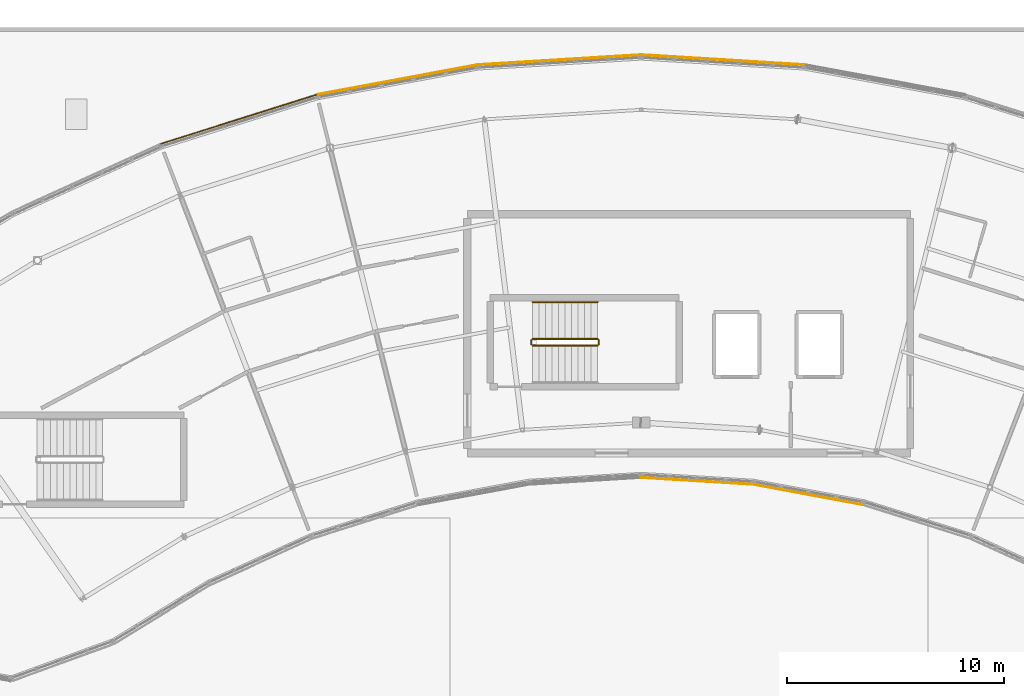
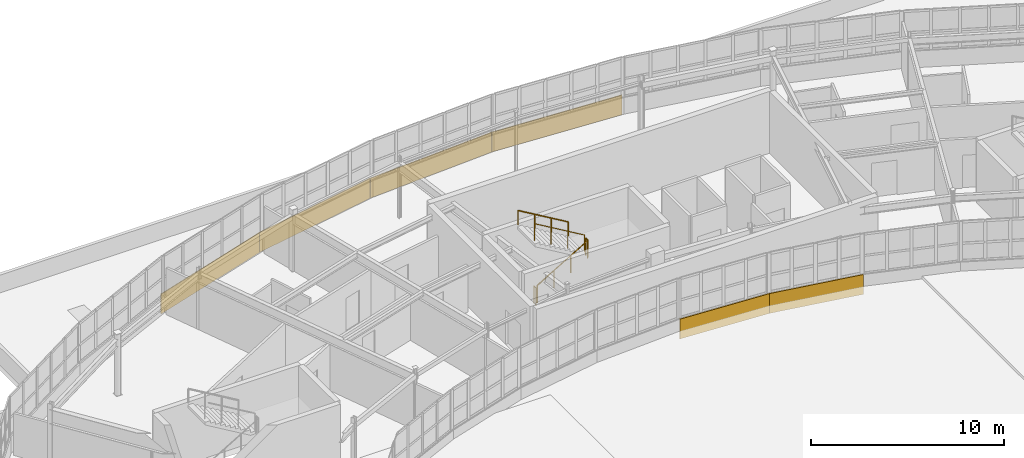
# One storey, part 121 of 128: 6 coverings, 5 railings.
"""IFC4 building model written with IfcOpenShell, lengths in metres."""

from ifc_helpers import new_model, si_unit, direction, frame, origin, origin_2d, place, context, subcontext, project, spatial, rectangle, circle, extrude, material, layer, layer_set, type_object, element, save


model = new_model("IFC4")

# Units and contexts
model_context = context("Model", 3, precision=1e-05, world=origin(), true_north=direction((0.0, 1.0)))
body_context = subcontext(model_context, "Body", "Model", "MODEL_VIEW")
ifc_project = project(units=[si_unit("LENGTHUNIT", "METRE"), si_unit("AREAUNIT", "SQUARE_METRE"), si_unit("VOLUMEUNIT", "CUBIC_METRE"), si_unit("PLANEANGLEUNIT", "RADIAN"), si_unit("MASSUNIT", "GRAM", prefix="KILO")], contexts=[model_context])

# Site, building, storey
site_placement = place(None, origin())
site = spatial("IfcSite", under=ifc_project, at=site_placement, CompositionType="ELEMENT")
building_placement = place(site_placement, origin())
building = spatial("IfcBuilding", under=site, at=building_placement, Name="Tarnwether General Hospital", CompositionType="ELEMENT")
storey_placement = place(building_placement, frame((0.0, 0.0, 14.39990234375)))
storey = spatial("IfcBuildingStorey", under=building, at=storey_placement, Name="L03", CompositionType="ELEMENT", Elevation=14.39990234375)

# Coverings
ifc_material_1 = material(Name="Streamlined white enamelled aluminium", Category="aluminium")
ifc_layer = layer(ifc_material_1, 0.044921875)
ifc_layer_set = layer_set([ifc_layer], Name="Streamlined white enamelled aluminium")
covering_type = type_object("IfcCoveringType", Name="CV-CLD-WHT", PredefinedType="CLADDING", material=ifc_layer_set)
for number, where, z_axis, x_axis, name in (
    (1, (94.574951171875, 105.110107421875, -0.1748046875), (0.0, 0.0, 1.0), (-0.998134798422, 0.061048539535, 0.0), "Streamlined White Horizontal Band NW L03 11"),
    (2, (99.68798828125, 104.48291015625, -0.1748046875), (0.0, 0.0, 1.0), (-0.983267627608, 0.182166880906, 0.0), "Streamlined White Horizontal Band NW L03 12"),
):
    element("IfcCovering", number, at=place(storey_placement, frame(where, z_axis=z_axis, x_axis=x_axis)), inside=storey, type_object=covering_type, Name=name, PredefinedType="CLADDING", context=body_context, shape_type="SweptSolid", body=[
        extrude(rectangle(XDim=5.177001953125, YDim=0.044921875, at=origin_2d()), origin(), (0.0, 0.0, 1.0), 1.25),
    ])
for number, where, z_axis, x_axis, name in (
    (3, (95.761962890625, 124.501953125, -0.1748046875), (0.0, 0.0, 1.0), (0.998135863768, -0.061031118787, 0.0), "Streamlined White Horizontal Band NW L03 26"),
    (4, (88.238037109375, 124.501953125, -0.1748046875), (0.0, 0.0, 1.0), (0.998135863768, 0.061031118787, 0.0), "Streamlined White Horizontal Band NW L03 27"),
    (5, (80.77099609375, 123.5849609375, -0.1748046875), (0.0, 0.0, 1.0), (0.983245364386, 0.182287008349, 0.0), "Streamlined White Horizontal Band NW L03 28"),
    (6, (73.471923828125, 121.764892578125, -0.1748046875), (0.0, 0.0, 1.0), (0.953743188648, 0.300622570855, 0.0), "Streamlined White Horizontal Band NW L03 29"),
):
    element("IfcCovering", number, at=place(storey_placement, frame(where, z_axis=z_axis, x_axis=x_axis)), inside=storey, type_object=covering_type, Name=name, PredefinedType="CLADDING", context=body_context, shape_type="SweptSolid", body=[
        extrude(rectangle(XDim=7.52099609375, YDim=0.044921875, at=origin_2d()), origin(), (0.0, 0.0, 1.0), 1.25),
    ])

# Railings
ifc_material_2 = material(Name="Anodised aluminium", Category="aluminium")
railing_type_1 = type_object("IfcRailingType", Name="RL-GRD-INT", PredefinedType="GUARDRAIL", material=ifc_material_2)
railing_1_placement = place(storey_placement, frame((87.0, 111.35009765625, 0.177490234375)))
element("IfcRailing", 7, at=railing_1_placement, inside=storey, type_object=railing_type_1, Name="L03 ST-01 stair guard 1", PredefinedType="GUARDRAIL", context=body_context, shape_type="SweptSolid", body=[
    extrude(circle(Radius=0.02392578125, at=origin_2d()), frame((0.0, 0.0, 1.076171875), z_axis=(0.86092931783, 0.0, 0.508724591208), x_axis=(0.0, 1.0, 0.0)), (0.0, 0.0, 1.0), 3.484619140625),
    extrude(circle(Radius=0.02099609375, at=origin_2d()), origin(), (0.0, 0.0, 1.0), 1.052001953125),
    extrude(circle(Radius=0.02099609375, at=origin_2d()), frame((1.0, 0.0, 0.5908203125)), (0.0, 0.0, 1.0), 1.052001953125),
    extrude(circle(Radius=0.02099609375, at=origin_2d()), frame((2.0, 0.0, 1.181884765625)), (0.0, 0.0, 1.0), 1.052001953125),
    extrude(circle(Radius=0.02099609375, at=origin_2d()), frame((3.0, 0.0, 1.772705078125)), (0.0, 0.0, 1.0), 1.052001953125),
])
railing_2_placement = place(storey_placement, frame((90.050048828125, 111.39990234375, 1.9501953125)))
element("IfcRailing", 8, at=railing_2_placement, inside=storey, type_object=railing_type_1, Name="L03 ST-01 stair guard 2", PredefinedType="GUARDRAIL", context=body_context, shape_type="SweptSolid", body=[
    extrude(circle(Radius=0.02392578125, at=origin_2d()), frame((0.0, 0.0, 1.076171875), z_axis=(0.0, 1.0, 0.0), x_axis=(-1.0, 0.0, 0.0)), (0.0, 0.0, 1.0), 0.2001953125),
    extrude(circle(Radius=0.02099609375, at=origin_2d()), origin(), (0.0, 0.0, 1.0), 1.052001953125),
    extrude(circle(Radius=0.02099609375, at=origin_2d()), frame((0.0, 0.2001953125, 0.0)), (0.0, 0.0, 1.0), 1.052001953125),
])
railing_3_placement = place(storey_placement, frame((90.0, 111.64990234375, 2.12744140625)))
element("IfcRailing", 9, at=railing_3_placement, inside=storey, type_object=railing_type_1, Name="L03 ST-01 stair guard 3", PredefinedType="GUARDRAIL", context=body_context, shape_type="SweptSolid", body=[
    extrude(circle(Radius=0.02392578125, at=origin_2d()), frame((0.0, 0.0, 1.076171875), z_axis=(-0.86092931783, 0.0, 0.508724591208), x_axis=(0.0, -1.0, 0.0)), (0.0, 0.0, 1.0), 3.484619140625),
    extrude(circle(Radius=0.02099609375, at=origin_2d()), origin(), (0.0, 0.0, 1.0), 1.052001953125),
    extrude(circle(Radius=0.02099609375, at=origin_2d()), frame((-1.0, 0.0, 0.5908203125)), (0.0, 0.0, 1.0), 1.052001953125),
    extrude(circle(Radius=0.02099609375, at=origin_2d()), frame((-2.0, 0.0, 1.181884765625)), (0.0, 0.0, 1.0), 1.052001953125),
    extrude(circle(Radius=0.02099609375, at=origin_2d()), frame((-3.0, 0.0, 1.772705078125)), (0.0, 0.0, 1.0), 1.052001953125),
])
railing_4_placement = place(storey_placement, frame((86.949951171875, 111.39990234375, 0.0)))
element("IfcRailing", 10, at=railing_4_placement, inside=storey, type_object=railing_type_1, Name="L03 ST-01 stair guard 4", PredefinedType="GUARDRAIL", context=body_context, shape_type="SweptSolid", body=[
    extrude(circle(Radius=0.02392578125, at=origin_2d()), frame((0.0, 0.0, 1.076171875), z_axis=(0.0, 1.0, 0.0), x_axis=(-1.0, 0.0, 0.0)), (0.0, 0.0, 1.0), 0.2001953125),
    extrude(circle(Radius=0.02099609375, at=origin_2d()), origin(), (0.0, 0.0, 1.0), 1.052001953125),
    extrude(circle(Radius=0.02099609375, at=origin_2d()), frame((0.0, 0.2001953125, 0.0)), (0.0, 0.0, 1.0), 1.052001953125),
])
ifc_material_3 = material(Name="Anodised aluminium", Category="aluminium")
railing_type_2 = type_object("IfcRailingType", Name="RL-HND-INT", PredefinedType="HANDRAIL", material=ifc_material_3)
railing_5_placement = place(storey_placement, frame((90.0, 113.35009765625, 2.12744140625)))
element("IfcRailing", 11, at=railing_5_placement, inside=storey, type_object=railing_type_2, Name="L03 ST-01 stair handrail 2", PredefinedType="HANDRAIL", context=body_context, shape_type="SweptSolid", body=[
    extrude(circle(Radius=0.02392578125, at=origin_2d()), frame((0.0, 0.0, 0.8759765625), z_axis=(-0.86092931783, 0.0, 0.508724591208), x_axis=(0.0, -1.0, 0.0)), (0.0, 0.0, 1.0), 3.484619140625),
    extrude(circle(Radius=0.02099609375, at=origin_2d()), origin(), (0.0, 0.0, 1.0), 0.851806640625),
    extrude(circle(Radius=0.02099609375, at=origin_2d()), frame((-1.0, 0.0, 0.5908203125)), (0.0, 0.0, 1.0), 0.851806640625),
    extrude(circle(Radius=0.02099609375, at=origin_2d()), frame((-2.0, 0.0, 1.181884765625)), (0.0, 0.0, 1.0), 0.851806640625),
    extrude(circle(Radius=0.02099609375, at=origin_2d()), frame((-3.0, 0.0, 1.772705078125)), (0.0, 0.0, 1.0), 0.851806640625),
])

save(model, "model.ifc")
